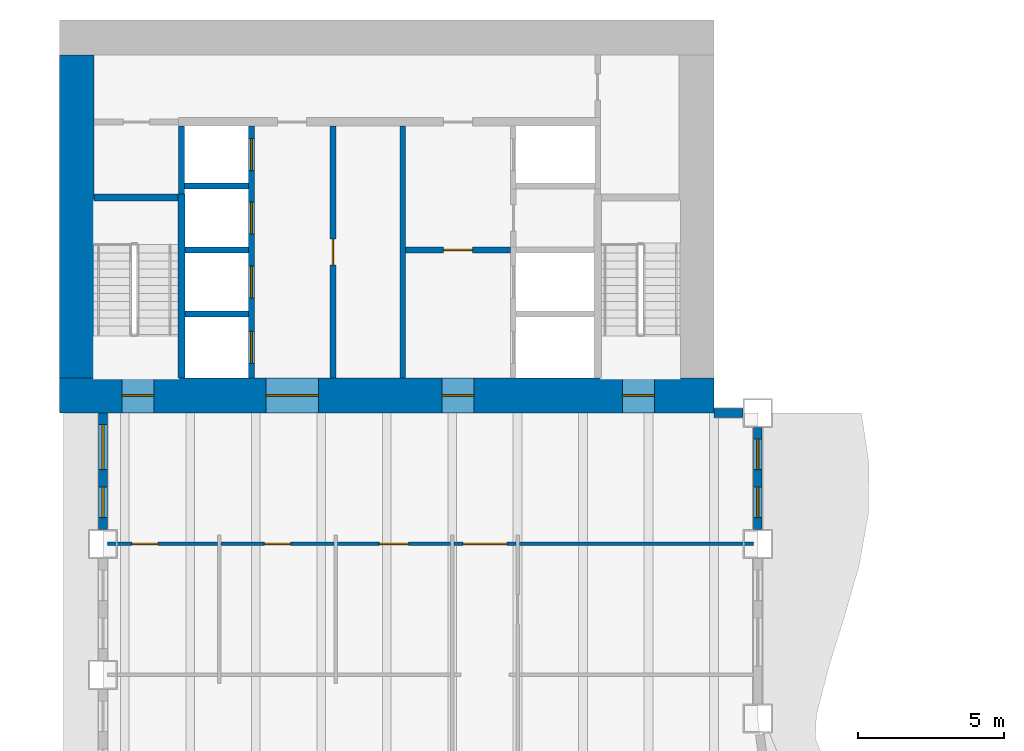
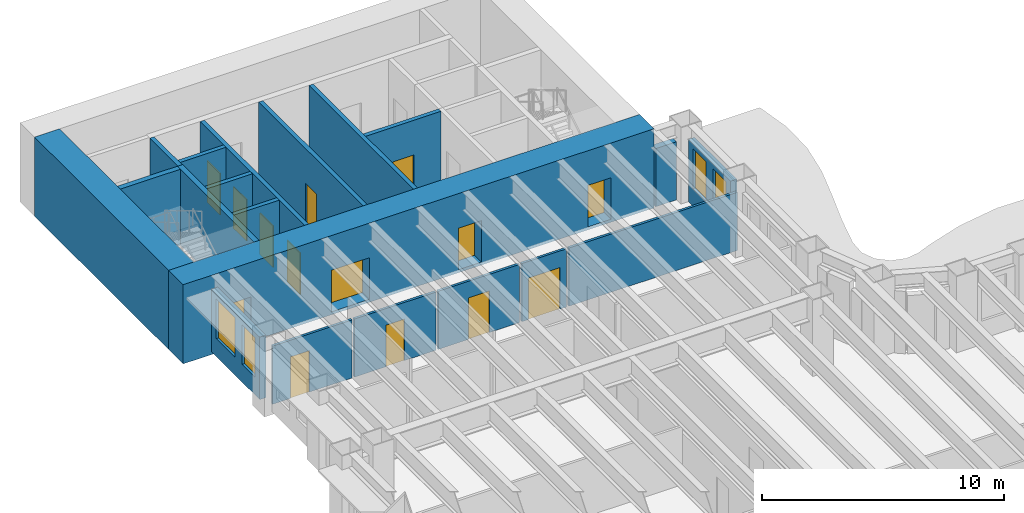
# One storey, part 8 of 16: 20 walls, 14 doors, 4 windows, 18 openings.
"""IFC4 building model written with IfcOpenShell, lengths in metres."""

from ifc_helpers import new_model, si_unit, direction, frame, frame_2d, origin, place, context, subcontext, project, spatial, rectangle, extrude, material, layer, layer_set, type_object, element, fill, save


model = new_model("IFC4")

# Units and contexts
model_context = context("Model", 3, precision=1e-05, world=origin(), true_north=direction((0.0, 1.0)))
body_context = subcontext(model_context, "Body", "Model", "MODEL_VIEW")
ifc_project = project(units=[si_unit("LENGTHUNIT", "METRE"), si_unit("AREAUNIT", "SQUARE_METRE"), si_unit("VOLUMEUNIT", "CUBIC_METRE"), si_unit("PLANEANGLEUNIT", "RADIAN"), si_unit("MASSUNIT", "GRAM", prefix="KILO")], contexts=[model_context])

# Site, building, storey
site_placement = place(None, origin())
site = spatial("IfcSite", under=ifc_project, at=site_placement, CompositionType="ELEMENT")
building_placement = place(site_placement, origin())
building = spatial("IfcBuilding", under=site, at=building_placement, Name="Sennacour Bend Tower", CompositionType="ELEMENT")
storey_placement = place(building_placement, frame((0.0, 0.0, 115.0)))
storey = spatial("IfcBuildingStorey", under=building, at=storey_placement, Name="L26", CompositionType="ELEMENT", Elevation=115.0)

# Wall, openings, doors
ifc_material_1 = material(Name="Concrete C80/95", Category="concrete")
ifc_layer_1 = layer(ifc_material_1, 1.199951171875, Name="Concrete C80/95", Category="concrete")
ifc_layer_set_1 = layer_set([ifc_layer_1], Name="Concrete C80/95")
wall_type_1 = type_object("IfcWallType", Name="Core wall 1200 C80/95", PredefinedType="SHEAR", material=ifc_layer_set_1)
wall_1_placement = place(storey_placement, frame((0.0, 36.60009765625, -0.14990234375), z_axis=(0.0, 0.0, 1.0), x_axis=(1.0, 0.0, 0.0)))
wall_1 = element("IfcWall", 1, at=wall_1_placement, inside=storey, type_object=wall_type_1, Name="Core B wall L26 S", PredefinedType="SHEAR", context=body_context, shape_type="SweptSolid", body=[
    extrude(rectangle(XDim=22.5, YDim=1.199951171875, at=frame_2d((11.25, 0.0))), origin(), (0.0, 0.0, 1.0), 4.0),
])
opening_1_placement = place(wall_1_placement, frame((7.10009765625, 0.0, 0.14990234375)))
opening_1 = element("IfcOpeningElement", 2, at=opening_1_placement, cuts=wall_1, Name="Opening CD", PredefinedType="OPENING", context=body_context, shape_type="SweptSolid", body=[
    extrude(rectangle(XDim=1.800048828125, YDim=2.10009765625, at=frame_2d((0.89990234375, 1.050048828125))), frame((0.0, 0.60986328125, 0.0), z_axis=(0.0, -1.0, 0.0), x_axis=(1.0, 0.0, 0.0)), (0.0, 0.0, 1.0), 1.219970703125),
])
opening_2_placement = place(wall_1_placement, frame((13.14990234375, 0.0, 0.14990234375)))
opening_2 = element("IfcOpeningElement", 3, at=opening_2_placement, cuts=wall_1, Name="Opening FD", PredefinedType="OPENING", context=body_context, shape_type="SweptSolid", body=[
    extrude(rectangle(XDim=1.10009765625, YDim=2.10009765625, at=frame_2d((0.550048828125, 1.050048828125))), frame((0.0, 0.60986328125, 0.0), z_axis=(0.0, -1.0, 0.0), x_axis=(1.0, 0.0, 0.0)), (0.0, 0.0, 1.0), 1.219970703125),
])
opening_3_placement = place(wall_1_placement, frame((2.14990234375, 0.0, 0.14990234375)))
opening_3 = element("IfcOpeningElement", 4, at=opening_3_placement, cuts=wall_1, Name="Opening SD", PredefinedType="OPENING", context=body_context, shape_type="SweptSolid", body=[
    extrude(rectangle(XDim=1.10009765625, YDim=2.10009765625, at=frame_2d((0.550048828125, 1.050048828125))), frame((0.0, 0.60986328125, 0.0), z_axis=(0.0, -1.0, 0.0), x_axis=(1.0, 0.0, 0.0)), (0.0, 0.0, 1.0), 1.219970703125),
])
opening_4_placement = place(wall_1_placement, frame((19.35009765625, 0.0, 0.14990234375)))
opening_4 = element("IfcOpeningElement", 5, at=opening_4_placement, cuts=wall_1, Name="Opening SD", PredefinedType="OPENING", context=body_context, shape_type="SweptSolid", body=[
    extrude(rectangle(XDim=1.10009765625, YDim=2.10009765625, at=frame_2d((0.550048828125, 1.050048828125))), frame((0.0, 0.60986328125, 0.0), z_axis=(0.0, -1.0, 0.0), x_axis=(1.0, 0.0, 0.0)), (0.0, 0.0, 1.0), 1.219970703125),
])
ifc_material_2 = material(Name="Painted steel", Category="steel")
door_type_1 = type_object("IfcDoorType", Name="DR-FFL-1100", OperationType="NOTDEFINED", PredefinedType="DOOR", material=ifc_material_2)
door_1_placement = place(opening_2_placement, origin())
door_1 = element("IfcDoor", 6, at=door_1_placement, inside=storey, type_object=door_type_1, Name="Door", OperationType="SINGLE_SWING_RIGHT", OverallHeight=2.10009765625, OverallWidth=1.10009765625, PredefinedType="DOOR", context=body_context, shape_type="SweptSolid", body=[
    extrude(rectangle(XDim=1.10009765625, YDim=2.10009765625, at=frame_2d((0.550048828125, 1.050048828125))), frame((0.0, 0.02490234375, 0.0), z_axis=(0.0, -1.0, 0.0), x_axis=(1.0, 0.0, 0.0)), (0.0, 0.0, 1.0), 0.050048828125),
])
fill(opening_2, door_1)
door_type_2 = type_object("IfcDoorType", Name="DR-LOBBY-1800", OperationType="NOTDEFINED", PredefinedType="DOOR", material=ifc_material_2)
door_2_placement = place(opening_1_placement, origin())
door_2 = element("IfcDoor", 7, at=door_2_placement, inside=storey, type_object=door_type_2, Name="Door", OperationType="DOUBLE_DOOR_SINGLE_SWING", OverallHeight=2.10009765625, OverallWidth=1.800048828125, PredefinedType="DOOR", context=body_context, shape_type="SweptSolid", body=[
    extrude(rectangle(XDim=1.800048828125, YDim=2.10009765625, at=frame_2d((0.89990234375, 1.050048828125))), frame((0.0, 0.02490234375, 0.0), z_axis=(0.0, -1.0, 0.0), x_axis=(1.0, 0.0, 0.0)), (0.0, 0.0, 1.0), 0.050048828125),
])
fill(opening_1, door_2)
door_type_3 = type_object("IfcDoorType", Name="DR-STAIR-1100", OperationType="NOTDEFINED", PredefinedType="DOOR", material=ifc_material_2)
door_3_placement = place(opening_3_placement, origin())
door_3 = element("IfcDoor", 8, at=door_3_placement, inside=storey, type_object=door_type_3, Name="Door", OperationType="SINGLE_SWING_LEFT", OverallHeight=2.10009765625, OverallWidth=1.10009765625, PredefinedType="DOOR", context=body_context, shape_type="SweptSolid", body=[
    extrude(rectangle(XDim=1.10009765625, YDim=2.10009765625, at=frame_2d((0.550048828125, 1.050048828125))), frame((0.0, 0.02490234375, 0.0), z_axis=(0.0, -1.0, 0.0), x_axis=(1.0, 0.0, 0.0)), (0.0, 0.0, 1.0), 0.050048828125),
])
fill(opening_3, door_3)
door_4_placement = place(opening_4_placement, origin())
door_4 = element("IfcDoor", 9, at=door_4_placement, inside=storey, type_object=door_type_3, Name="Door", OperationType="SINGLE_SWING_RIGHT", OverallHeight=2.10009765625, OverallWidth=1.10009765625, PredefinedType="DOOR", context=body_context, shape_type="SweptSolid", body=[
    extrude(rectangle(XDim=1.10009765625, YDim=2.10009765625, at=frame_2d((0.550048828125, 1.050048828125))), frame((0.0, 0.02490234375, 0.0), z_axis=(0.0, -1.0, 0.0), x_axis=(1.0, 0.0, 0.0)), (0.0, 0.0, 1.0), 0.050048828125),
])
fill(opening_4, door_4)

# Wall
wall_2_placement = place(storey_placement, frame((0.60009765625, 37.199951171875, -0.14990234375), z_axis=(0.0, 0.0, 1.0), x_axis=(0.0, 1.0, 0.0)))
element("IfcWall", 10, at=wall_2_placement, inside=storey, type_object=wall_type_1, Name="Core B wall L26 W", PredefinedType="SHEAR", context=body_context, shape_type="SweptSolid", body=[
    extrude(rectangle(XDim=11.10009765625, YDim=1.199951171875, at=frame_2d((5.550048828125, 0.0))), origin(), (0.0, 0.0, 1.0), 4.0),
])

# Wall, opening, door
ifc_material_3 = material(Name="Plasterboard partition on steel studs", Category="steel")
ifc_layer_2 = layer(ifc_material_3, 0.1201171875, Name="Plasterboard partition on steel studs", Category="steel")
ifc_layer_set_2 = layer_set([ifc_layer_2], Name="Plasterboard partition on steel studs")
wall_type_2 = type_object("IfcWallType", Name="Partition 120", PredefinedType="PARTITIONING", material=ifc_layer_set_2)
wall_3_placement = place(storey_placement, frame((1.64990234375, 31.5, 0.0), z_axis=(0.0, 0.0, 1.0), x_axis=(1.0, 0.0, 0.0)))
wall_3 = element("IfcWall", 11, at=wall_3_placement, inside=storey, type_object=wall_type_2, Name="P-L26-W071aa", PredefinedType="PARTITIONING", context=body_context, shape_type="SweptSolid", body=[
    extrude(rectangle(XDim=3.7900390625, YDim=0.1201171875, at=frame_2d((1.89501953125, 0.0))), origin(), (0.0, 0.0, 1.0), 2.93798828125),
])
opening_5_placement = place(wall_3_placement, frame((0.85009765625, 0.0, 0.0)))
opening_5 = element("IfcOpeningElement", 12, at=opening_5_placement, cuts=wall_3, Name="Opening WD", PredefinedType="OPENING", context=body_context, shape_type="SweptSolid", body=[
    extrude(rectangle(XDim=0.89990234375, YDim=2.10009765625, at=frame_2d((0.449951171875, 1.050048828125))), frame((0.0, 0.070068359375, 0.0), z_axis=(0.0, -1.0, 0.0), x_axis=(1.0, 0.0, 0.0)), (0.0, 0.0, 1.0), 0.14013671875),
])
ifc_material_4 = material(Name="Timber", Category="wood")
door_type_4 = type_object("IfcDoorType", Name="DR-WC-900", OperationType="NOTDEFINED", PredefinedType="DOOR", material=ifc_material_4)
door_5_placement = place(opening_5_placement, origin())
door_5 = element("IfcDoor", 13, at=door_5_placement, inside=storey, type_object=door_type_4, Name="Door", OperationType="SINGLE_SWING_LEFT", OverallHeight=2.10009765625, OverallWidth=0.89990234375, PredefinedType="DOOR", context=body_context, shape_type="SweptSolid", body=[
    extrude(rectangle(XDim=0.89990234375, YDim=2.10009765625, at=frame_2d((0.449951171875, 1.050048828125))), frame((0.0, 0.02490234375, 0.0), z_axis=(0.0, -1.0, 0.0), x_axis=(1.0, 0.0, 0.0)), (0.0, 0.0, 1.0), 0.050048828125),
])
fill(opening_5, door_5)

wall_4_placement = place(storey_placement, frame((5.56005859375, 31.5, 0.0), z_axis=(0.0, 0.0, 1.0), x_axis=(1.0, 0.0, 0.0)))
wall_4 = element("IfcWall", 14, at=wall_4_placement, inside=storey, type_object=wall_type_2, Name="P-L26-W071ab", PredefinedType="PARTITIONING", context=body_context, shape_type="SweptSolid", body=[
    extrude(rectangle(XDim=3.8798828125, YDim=0.1201171875, at=frame_2d((1.93994140625, 0.0))), origin(), (0.0, 0.0, 1.0), 2.93798828125),
])
opening_6_placement = place(wall_4_placement, frame((1.489990234375, 0.0, 0.0)))
opening_6 = element("IfcOpeningElement", 15, at=opening_6_placement, cuts=wall_4, Name="Opening WD", PredefinedType="OPENING", context=body_context, shape_type="SweptSolid", body=[
    extrude(rectangle(XDim=0.89990234375, YDim=2.10009765625, at=frame_2d((0.449951171875, 1.050048828125))), frame((0.0, 0.070068359375, 0.0), z_axis=(0.0, -1.0, 0.0), x_axis=(1.0, 0.0, 0.0)), (0.0, 0.0, 1.0), 0.14013671875),
])
door_6_placement = place(opening_6_placement, origin())
door_6 = element("IfcDoor", 16, at=door_6_placement, inside=storey, type_object=door_type_4, Name="Door", OperationType="SINGLE_SWING_LEFT", OverallHeight=2.10009765625, OverallWidth=0.89990234375, PredefinedType="DOOR", context=body_context, shape_type="SweptSolid", body=[
    extrude(rectangle(XDim=0.89990234375, YDim=2.10009765625, at=frame_2d((0.449951171875, 1.050048828125))), frame((0.0, 0.02490234375, 0.0), z_axis=(0.0, -1.0, 0.0), x_axis=(1.0, 0.0, 0.0)), (0.0, 0.0, 1.0), 0.050048828125),
])
fill(opening_6, door_6)

wall_5_placement = place(storey_placement, frame((9.56005859375, 31.5, 0.0), z_axis=(0.0, 0.0, 1.0), x_axis=(1.0, 0.0, 0.0)))
wall_5 = element("IfcWall", 17, at=wall_5_placement, inside=storey, type_object=wall_type_2, Name="P-L26-W071ac", PredefinedType="PARTITIONING", context=body_context, shape_type="SweptSolid", body=[
    extrude(rectangle(XDim=3.8798828125, YDim=0.1201171875, at=frame_2d((1.93994140625, 0.0))), origin(), (0.0, 0.0, 1.0), 2.93798828125),
])
opening_7_placement = place(wall_5_placement, frame((1.43994140625, 0.0, 0.0)))
opening_7 = element("IfcOpeningElement", 18, at=opening_7_placement, cuts=wall_5, Name="Opening AD", PredefinedType="OPENING", context=body_context, shape_type="SweptSolid", body=[
    extrude(rectangle(XDim=1.0, YDim=2.10009765625, at=frame_2d((0.5, 1.050048828125))), frame((0.0, 0.070068359375, 0.0), z_axis=(0.0, -1.0, 0.0), x_axis=(1.0, 0.0, 0.0)), (0.0, 0.0, 1.0), 0.14013671875),
])
door_type_5 = type_object("IfcDoorType", Name="DR-ACC-WC-1000", OperationType="NOTDEFINED", PredefinedType="DOOR", material=ifc_material_4)
door_7_placement = place(opening_7_placement, origin())
door_7 = element("IfcDoor", 19, at=door_7_placement, inside=storey, type_object=door_type_5, Name="Door", OperationType="SINGLE_SWING_LEFT", OverallHeight=2.10009765625, OverallWidth=1.0, PredefinedType="DOOR", context=body_context, shape_type="SweptSolid", body=[
    extrude(rectangle(XDim=1.0, YDim=2.10009765625, at=frame_2d((0.5, 1.050048828125))), frame((0.0, 0.02490234375, 0.0), z_axis=(0.0, -1.0, 0.0), x_axis=(1.0, 0.0, 0.0)), (0.0, 0.0, 1.0), 0.050048828125),
])
fill(opening_7, door_7)

# Wall
wall_6_placement = place(storey_placement, frame((15.81005859375, 31.5, 0.0), z_axis=(0.0, 0.0, 1.0), x_axis=(1.0, 0.0, 0.0)))
element("IfcWall", 20, at=wall_6_placement, inside=storey, type_object=wall_type_2, Name="P-L26-W071ae", PredefinedType="PARTITIONING", context=body_context, shape_type="SweptSolid", body=[
    extrude(rectangle(XDim=8.0400390625, YDim=0.1201171875, at=frame_2d((4.02001953125, 0.0))), origin(), (0.0, 0.0, 1.0), 2.93798828125),
])

# Wall, opening, door
ifc_layer_3 = layer(ifc_material_3, 0.1201171875, Name="Plasterboard partition on steel studs", Category="steel")
ifc_layer_set_3 = layer_set([ifc_layer_3], Name="Plasterboard partition on steel studs")
wall_type_3 = type_object("IfcWallType", Name="Partition 120 EI 30", PredefinedType="PARTITIONING", material=ifc_layer_set_3)
wall_7_placement = place(storey_placement, frame((13.56005859375, 31.5, 0.0), z_axis=(0.0, 0.0, 1.0), x_axis=(1.0, 0.0, 0.0)))
wall_7 = element("IfcWall", 21, at=wall_7_placement, inside=storey, type_object=wall_type_3, Name="P-L26-W071ad", PredefinedType="PARTITIONING", context=body_context, shape_type="SweptSolid", body=[
    extrude(rectangle(XDim=2.1298828125, YDim=0.1201171875, at=frame_2d((1.06494140625, 0.0))), origin(), (0.0, 0.0, 1.0), 2.93798828125),
])
opening_8_placement = place(wall_7_placement, frame((0.31494140625, 0.0, 0.0)))
opening_8 = element("IfcOpeningElement", 22, at=opening_8_placement, cuts=wall_7, Name="Opening KD", PredefinedType="OPENING", context=body_context, shape_type="SweptSolid", body=[
    extrude(rectangle(XDim=1.5, YDim=2.10009765625, at=frame_2d((0.75, 1.050048828125))), frame((0.0, 0.070068359375, 0.0), z_axis=(0.0, -1.0, 0.0), x_axis=(1.0, 0.0, 0.0)), (0.0, 0.0, 1.0), 0.14013671875),
])
door_type_6 = type_object("IfcDoorType", Name="DR-CORRIDOR-1500", OperationType="NOTDEFINED", PredefinedType="DOOR", material=ifc_material_2)
door_8_placement = place(opening_8_placement, origin())
door_8 = element("IfcDoor", 23, at=door_8_placement, inside=storey, type_object=door_type_6, Name="Door", OperationType="SINGLE_SWING_LEFT", OverallHeight=2.10009765625, OverallWidth=1.5, PredefinedType="DOOR", context=body_context, shape_type="SweptSolid", body=[
    extrude(rectangle(XDim=1.5, YDim=2.10009765625, at=frame_2d((0.75, 1.050048828125))), frame((0.0, 0.02490234375, 0.0), z_axis=(0.0, -1.0, 0.0), x_axis=(1.0, 0.0, 0.0)), (0.0, 0.0, 1.0), 0.050048828125),
])
fill(opening_8, door_8)

ifc_material_5 = material(Name="Fire-rated plasterboard partition on steel studs", Category="steel")
ifc_layer_4 = layer(ifc_material_5, 0.199951171875, Name="Fire-rated plasterboard partition on steel studs", Category="steel")
ifc_layer_set_4 = layer_set([ifc_layer_4], Name="Fire-rated plasterboard partition on steel studs")
wall_type_4 = type_object("IfcWallType", Name="Rated partition 200", PredefinedType="PARTITIONING", material=ifc_layer_set_4)
wall_8_placement = place(storey_placement, frame((9.39990234375, 37.199951171875, 0.0), z_axis=(0.0, 0.0, 1.0), x_axis=(0.0, 1.0, 0.0)))
wall_8 = element("IfcWall", 24, at=wall_8_placement, inside=storey, type_object=wall_type_4, Name="P-L26-W011", PredefinedType="PARTITIONING", context=body_context, shape_type="SweptSolid", body=[
    extrude(rectangle(XDim=8.650146484375, YDim=0.199951171875, at=frame_2d((4.3251953125, 0.0))), origin(), (0.0, 0.0, 1.0), 3.85009765625),
])
opening_9_placement = place(wall_8_placement, frame((3.875, 0.0, 0.0)))
opening_9 = element("IfcOpeningElement", 25, at=opening_9_placement, cuts=wall_8, Name="Opening SV", PredefinedType="OPENING", context=body_context, shape_type="SweptSolid", body=[
    extrude(rectangle(XDim=0.89990234375, YDim=2.10009765625, at=frame_2d((0.449951171875, 1.050048828125))), frame((0.0, 0.10986328125, 0.0), z_axis=(0.0, -1.0, 0.0), x_axis=(1.0, 0.0, 0.0)), (0.0, 0.0, 1.0), 0.219970703125),
])
door_type_7 = type_object("IfcDoorType", Name="DR-SERVICE-900", OperationType="NOTDEFINED", PredefinedType="DOOR", material=ifc_material_2)
door_9_placement = place(opening_9_placement, origin())
door_9 = element("IfcDoor", 26, at=door_9_placement, inside=storey, type_object=door_type_7, Name="Door", OperationType="SINGLE_SWING_LEFT", OverallHeight=2.10009765625, OverallWidth=0.89990234375, PredefinedType="DOOR", context=body_context, shape_type="SweptSolid", body=[
    extrude(rectangle(XDim=0.89990234375, YDim=2.10009765625, at=frame_2d((0.449951171875, 1.050048828125))), frame((0.0, 0.02490234375, 0.0), z_axis=(0.0, -1.0, 0.0), x_axis=(1.0, 0.0, 0.0)), (0.0, 0.0, 1.0), 0.050048828125),
])
fill(opening_9, door_9)

# Wall
wall_9_placement = place(storey_placement, frame((11.800048828125, 37.199951171875, 0.0), z_axis=(0.0, 0.0, 1.0), x_axis=(0.0, 1.0, 0.0)))
element("IfcWall", 27, at=wall_9_placement, inside=storey, type_object=wall_type_4, Name="P-L26-W013", PredefinedType="PARTITIONING", context=body_context, shape_type="SweptSolid", body=[
    extrude(rectangle(XDim=8.650146484375, YDim=0.199951171875, at=frame_2d((4.3251953125, 0.0))), origin(), (0.0, 0.0, 1.0), 3.85009765625),
])

# Wall, opening, door
ifc_layer_5 = layer(ifc_material_5, 0.199951171875, Name="Fire-rated plasterboard partition on steel studs", Category="steel")
ifc_layer_set_5 = layer_set([ifc_layer_5], Name="Fire-rated plasterboard partition on steel studs")
wall_type_5 = type_object("IfcWallType", Name="Rated partition 200 EI 90", PredefinedType="PARTITIONING", material=ifc_layer_set_5)
wall_10_placement = place(storey_placement, frame((11.89990234375, 41.60009765625, 0.0), z_axis=(0.0, 0.0, 1.0), x_axis=(1.0, 0.0, 0.0)))
wall_10 = element("IfcWall", 28, at=wall_10_placement, inside=storey, type_object=wall_type_5, Name="P-L26-W076", PredefinedType="PARTITIONING", context=body_context, shape_type="SweptSolid", body=[
    extrude(rectangle(XDim=3.60009765625, YDim=0.199951171875, at=frame_2d((1.800048828125, 0.0))), origin(), (0.0, 0.0, 1.0), 3.85009765625),
])
opening_10_placement = place(wall_10_placement, frame((1.300048828125, 0.0, 0.0)))
opening_10 = element("IfcOpeningElement", 29, at=opening_10_placement, cuts=wall_10, Name="Opening FD2", PredefinedType="OPENING", context=body_context, shape_type="SweptSolid", body=[
    extrude(rectangle(XDim=1.0, YDim=2.10009765625, at=frame_2d((0.5, 1.050048828125))), frame((0.0, 0.10986328125, 0.0), z_axis=(0.0, -1.0, 0.0), x_axis=(1.0, 0.0, 0.0)), (0.0, 0.0, 1.0), 0.219970703125),
])
door_type_8 = type_object("IfcDoorType", Name="DR-FFL-1000", OperationType="NOTDEFINED", PredefinedType="DOOR", material=ifc_material_2)
door_10_placement = place(opening_10_placement, origin())
door_10 = element("IfcDoor", 30, at=door_10_placement, inside=storey, type_object=door_type_8, Name="Door", OperationType="SINGLE_SWING_LEFT", OverallHeight=2.10009765625, OverallWidth=1.0, PredefinedType="DOOR", context=body_context, shape_type="SweptSolid", body=[
    extrude(rectangle(XDim=1.0, YDim=2.10009765625, at=frame_2d((0.5, 1.050048828125))), frame((0.0, 0.02490234375, 0.0), z_axis=(0.0, -1.0, 0.0), x_axis=(1.0, 0.0, 0.0)), (0.0, 0.0, 1.0), 0.050048828125),
])
fill(opening_10, door_10)

# Wall, openings, windows
ifc_material_6 = material(Name="Warm limestone cladding", Category="masonry")
ifc_layer_6 = layer(ifc_material_6, 0.050048828125, Name="Warm limestone cladding", Category="masonry")
ifc_material_7 = material(Name="Precast concrete C40/50", Category="concrete")
ifc_layer_7 = layer(ifc_material_7, 0.25, Name="Precast concrete C40/50", Category="concrete")
ifc_layer_set_6 = layer_set([ifc_layer_6, ifc_layer_7], Name="Precast concrete C40/50 with limestone cladding")
wall_type_6 = type_object("IfcWallType", Name="STONE-CLAD PRECAST SPANDREL 300", PredefinedType="STANDARD", material=ifc_layer_set_6)
wall_11_placement = place(storey_placement, frame((24.0, 32.0, 0.0), z_axis=(0.0, 0.0, 1.0), x_axis=(0.0, 1.0, 0.0)))
wall_11 = element("IfcWall", 31, at=wall_11_placement, inside=storey, type_object=wall_type_6, Name="Stone spandrel and pier wall L26 13.01", PredefinedType="STANDARD", context=body_context, shape_type="SweptSolid", body=[
    extrude(rectangle(XDim=3.5, YDim=0.300048828125, at=frame_2d((1.75, 0.0))), origin(), (0.0, 0.0, 1.0), 3.154052734375),
])
opening_11_placement = place(wall_11_placement, frame((0.39990234375, 0.0, 0.89990234375)))
opening_11 = element("IfcOpeningElement", 32, at=opening_11_placement, cuts=wall_11, Name="Opening W13", PredefinedType="OPENING", context=body_context, shape_type="SweptSolid", body=[
    extrude(rectangle(XDim=1.050048828125, YDim=2.0, at=frame_2d((0.52490234375, 1.0))), frame((0.0, 0.16015625, 0.0), z_axis=(0.0, -1.0, 0.0), x_axis=(1.0, 0.0, 0.0)), (0.0, 0.0, 1.0), 0.320068359375),
])
opening_12_placement = place(wall_11_placement, frame((2.050048828125, 0.0, 0.89990234375)))
opening_12 = element("IfcOpeningElement", 33, at=opening_12_placement, cuts=wall_11, Name="Opening W13", PredefinedType="OPENING", context=body_context, shape_type="SweptSolid", body=[
    extrude(rectangle(XDim=1.050048828125, YDim=2.0, at=frame_2d((0.52490234375, 1.0))), frame((0.0, 0.16015625, 0.0), z_axis=(0.0, -1.0, 0.0), x_axis=(1.0, 0.0, 0.0)), (0.0, 0.0, 1.0), 0.320068359375),
])
ifc_material_8 = material(Name="Clear low-emissivity glass", Category="glass")
window_type_1 = type_object("IfcWindowType", Name="WIN-RIBBON-1050x2000", PartitioningType="SINGLE_PANEL", PredefinedType="WINDOW", material=ifc_material_8)
window_1_placement = place(opening_11_placement, origin())
window_1 = element("IfcWindow", 34, at=window_1_placement, inside=storey, type_object=window_type_1, Name="Ribbon window L26 13.01.0", OverallHeight=2.0, OverallWidth=1.050048828125, PartitioningType="SINGLE_PANEL", PredefinedType="WINDOW", context=body_context, shape_type="SweptSolid", body=[
    extrude(rectangle(XDim=1.050048828125, YDim=2.0, at=frame_2d((0.52490234375, 1.0))), frame((0.0, 0.030029296875, 0.0), z_axis=(0.0, -1.0, 0.0), x_axis=(1.0, 0.0, 0.0)), (0.0, 0.0, 1.0), 0.06005859375),
])
fill(opening_11, window_1)
window_2_placement = place(opening_12_placement, origin())
window_2 = element("IfcWindow", 35, at=window_2_placement, inside=storey, type_object=window_type_1, Name="Ribbon window L26 13.01.1", OverallHeight=2.0, OverallWidth=1.050048828125, PartitioningType="SINGLE_PANEL", PredefinedType="WINDOW", context=body_context, shape_type="SweptSolid", body=[
    extrude(rectangle(XDim=1.050048828125, YDim=2.0, at=frame_2d((0.52490234375, 1.0))), frame((0.0, 0.030029296875, 0.0), z_axis=(0.0, -1.0, 0.0), x_axis=(1.0, 0.0, 0.0)), (0.0, 0.0, 1.0), 0.06005859375),
])
fill(opening_12, window_2)

# Wall
wall_12_placement = place(storey_placement, frame((23.5, 36.0, 0.0), z_axis=(0.0, 0.0, 1.0), x_axis=(-1.0, 0.0, 0.0)))
element("IfcWall", 36, at=wall_12_placement, inside=storey, type_object=wall_type_6, Name="Stone spandrel and pier wall L26 14.00", PredefinedType="STANDARD", context=body_context, shape_type="SweptSolid", body=[
    extrude(rectangle(XDim=1.0, YDim=0.300048828125, at=frame_2d((0.5, 0.0))), origin(), (0.0, 0.0, 1.0), 2.93798828125),
])

# Wall, openings, windows
wall_13_placement = place(storey_placement, frame((1.5, 36.0, 0.0), z_axis=(0.0, 0.0, 1.0), x_axis=(0.0, -1.0, 0.0)))
wall_13 = element("IfcWall", 37, at=wall_13_placement, inside=storey, type_object=wall_type_6, Name="Stone spandrel and pier wall L26 19.00", PredefinedType="STANDARD", context=body_context, shape_type="SweptSolid", body=[
    extrude(rectangle(XDim=4.0, YDim=0.300048828125, at=frame_2d((2.0, 0.0))), origin(), (0.0, 0.0, 1.0), 3.154052734375),
])
opening_13_placement = place(wall_13_placement, frame((0.39990234375, 0.0, 0.89990234375)))
opening_13 = element("IfcOpeningElement", 38, at=opening_13_placement, cuts=wall_13, Name="Opening W9", PredefinedType="OPENING", context=body_context, shape_type="SweptSolid", body=[
    extrude(rectangle(XDim=1.550048828125, YDim=2.0, at=frame_2d((0.77490234375, 1.0))), frame((0.0, 0.16015625, 0.0), z_axis=(0.0, -1.0, 0.0), x_axis=(1.0, 0.0, 0.0)), (0.0, 0.0, 1.0), 0.320068359375),
])
opening_14_placement = place(wall_13_placement, frame((2.550048828125, 0.0, 0.89990234375)))
opening_14 = element("IfcOpeningElement", 39, at=opening_14_placement, cuts=wall_13, Name="Opening W13", PredefinedType="OPENING", context=body_context, shape_type="SweptSolid", body=[
    extrude(rectangle(XDim=1.050048828125, YDim=2.0, at=frame_2d((0.52490234375, 1.0))), frame((0.0, 0.16015625, 0.0), z_axis=(0.0, -1.0, 0.0), x_axis=(1.0, 0.0, 0.0)), (0.0, 0.0, 1.0), 0.320068359375),
])
window_3_placement = place(opening_14_placement, origin())
window_3 = element("IfcWindow", 40, at=window_3_placement, inside=storey, type_object=window_type_1, Name="Ribbon window L26 19.00.1", OverallHeight=2.0, OverallWidth=1.050048828125, PartitioningType="SINGLE_PANEL", PredefinedType="WINDOW", context=body_context, shape_type="SweptSolid", body=[
    extrude(rectangle(XDim=1.050048828125, YDim=2.0, at=frame_2d((0.52490234375, 1.0))), frame((0.0, 0.030029296875, 0.0), z_axis=(0.0, -1.0, 0.0), x_axis=(1.0, 0.0, 0.0)), (0.0, 0.0, 1.0), 0.06005859375),
])
fill(opening_14, window_3)
window_type_2 = type_object("IfcWindowType", Name="WIN-RIBBON-1550x2000", PartitioningType="SINGLE_PANEL", PredefinedType="WINDOW", material=ifc_material_8)
window_4_placement = place(opening_13_placement, origin())
window_4 = element("IfcWindow", 41, at=window_4_placement, inside=storey, type_object=window_type_2, Name="Ribbon window L26 19.00.0", OverallHeight=2.0, OverallWidth=1.550048828125, PartitioningType="SINGLE_PANEL", PredefinedType="WINDOW", context=body_context, shape_type="SweptSolid", body=[
    extrude(rectangle(XDim=1.550048828125, YDim=2.0, at=frame_2d((0.77490234375, 1.0))), frame((0.0, 0.030029296875, 0.0), z_axis=(0.0, -1.0, 0.0), x_axis=(1.0, 0.0, 0.0)), (0.0, 0.0, 1.0), 0.06005859375),
])
fill(opening_13, window_4)

# Wall
ifc_material_9 = material(Name="Concrete C50/60", Category="concrete")
ifc_layer_8 = layer(ifc_material_9, 0.199951171875, Name="Concrete C50/60", Category="concrete")
ifc_layer_set_7 = layer_set([ifc_layer_8], Name="Concrete C50/60")
wall_type_7 = type_object("IfcWallType", Name="Shaft wall 200", PredefinedType="SOLIDWALL", material=ifc_layer_set_7)
wall_14_placement = place(storey_placement, frame((4.199951171875, 43.52490234375, 0.0), z_axis=(0.0, 0.0, 1.0), x_axis=(0.0, 1.0, 0.0)))
element("IfcWall", 42, at=wall_14_placement, inside=storey, type_object=wall_type_7, Name="P-L26-W005", PredefinedType="SOLIDWALL", context=body_context, shape_type="SweptSolid", body=[
    extrude(rectangle(XDim=2.3251953125, YDim=0.199951171875, at=frame_2d((1.16259765625, 0.0))), origin(), (0.0, 0.0, 1.0), 3.85009765625),
])

# Wall, openings, doors
wall_15_placement = place(storey_placement, frame((6.60009765625, 37.199951171875, 0.0), z_axis=(0.0, 0.0, 1.0), x_axis=(0.0, 1.0, 0.0)))
wall_15 = element("IfcWall", 43, at=wall_15_placement, inside=storey, type_object=wall_type_7, Name="P-L26-W007", PredefinedType="SOLIDWALL", context=body_context, shape_type="SweptSolid", body=[
    extrude(rectangle(XDim=8.650146484375, YDim=0.199951171875, at=frame_2d((4.3251953125, 0.0))), origin(), (0.0, 0.0, 1.0), 3.85009765625),
])
opening_15_placement = place(wall_15_placement, frame((0.5, 0.0, 0.011962890625)))
opening_15 = element("IfcOpeningElement", 44, at=opening_15_placement, cuts=wall_15, Name="Opening LD", PredefinedType="OPENING", context=body_context, shape_type="SweptSolid", body=[
    extrude(rectangle(XDim=1.10009765625, YDim=2.10009765625, at=frame_2d((0.550048828125, 1.050048828125))), frame((0.0, 0.10986328125, 0.0), z_axis=(0.0, -1.0, 0.0), x_axis=(1.0, 0.0, 0.0)), (0.0, 0.0, 1.0), 0.219970703125),
])
opening_16_placement = place(wall_15_placement, frame((2.75, 0.0, 0.011962890625)))
opening_16 = element("IfcOpeningElement", 45, at=opening_16_placement, cuts=wall_15, Name="Opening LD", PredefinedType="OPENING", context=body_context, shape_type="SweptSolid", body=[
    extrude(rectangle(XDim=1.10009765625, YDim=2.10009765625, at=frame_2d((0.550048828125, 1.050048828125))), frame((0.0, 0.10986328125, 0.0), z_axis=(0.0, -1.0, 0.0), x_axis=(1.0, 0.0, 0.0)), (0.0, 0.0, 1.0), 0.219970703125),
])
opening_17_placement = place(wall_15_placement, frame((4.949951171875, 0.0, 0.011962890625)))
opening_17 = element("IfcOpeningElement", 46, at=opening_17_placement, cuts=wall_15, Name="Opening LD", PredefinedType="OPENING", context=body_context, shape_type="SweptSolid", body=[
    extrude(rectangle(XDim=1.10009765625, YDim=2.10009765625, at=frame_2d((0.550048828125, 1.050048828125))), frame((0.0, 0.10986328125, 0.0), z_axis=(0.0, -1.0, 0.0), x_axis=(1.0, 0.0, 0.0)), (0.0, 0.0, 1.0), 0.219970703125),
])
opening_18_placement = place(wall_15_placement, frame((7.125, 0.0, 0.011962890625)))
opening_18 = element("IfcOpeningElement", 47, at=opening_18_placement, cuts=wall_15, Name="Opening LD", PredefinedType="OPENING", context=body_context, shape_type="SweptSolid", body=[
    extrude(rectangle(XDim=1.10009765625, YDim=2.10009765625, at=frame_2d((0.550048828125, 1.050048828125))), frame((0.0, 0.10986328125, 0.0), z_axis=(0.0, -1.0, 0.0), x_axis=(1.0, 0.0, 0.0)), (0.0, 0.0, 1.0), 0.219970703125),
])
ifc_material_10 = material(Name="Stainless steel", Category="steel")
door_type_9 = type_object("IfcDoorType", Name="DR-LANDING-1100", OperationType="NOTDEFINED", PredefinedType="DOOR", material=ifc_material_10)
door_11_placement = place(opening_15_placement, origin())
door_11 = element("IfcDoor", 48, at=door_11_placement, inside=storey, type_object=door_type_9, Name="Lift landing door LB1", OperationType="SLIDING_TO_LEFT", OverallHeight=2.10009765625, OverallWidth=1.10009765625, PredefinedType="DOOR", context=body_context, shape_type="SweptSolid", body=[
    extrude(rectangle(XDim=1.10009765625, YDim=2.10009765625, at=frame_2d((0.550048828125, 1.050048828125))), frame((0.0, 0.02490234375, 0.0), z_axis=(0.0, -1.0, 0.0), x_axis=(1.0, 0.0, 0.0)), (0.0, 0.0, 1.0), 0.050048828125),
])
fill(opening_15, door_11)
door_12_placement = place(opening_16_placement, origin())
door_12 = element("IfcDoor", 49, at=door_12_placement, inside=storey, type_object=door_type_9, Name="Lift landing door LB2", OperationType="SLIDING_TO_RIGHT", OverallHeight=2.10009765625, OverallWidth=1.10009765625, PredefinedType="DOOR", context=body_context, shape_type="SweptSolid", body=[
    extrude(rectangle(XDim=1.10009765625, YDim=2.10009765625, at=frame_2d((0.550048828125, 1.050048828125))), frame((0.0, 0.02490234375, 0.0), z_axis=(0.0, -1.0, 0.0), x_axis=(1.0, 0.0, 0.0)), (0.0, 0.0, 1.0), 0.050048828125),
])
fill(opening_16, door_12)
door_13_placement = place(opening_17_placement, origin())
door_13 = element("IfcDoor", 50, at=door_13_placement, inside=storey, type_object=door_type_9, Name="Lift landing door LB3", OperationType="SLIDING_TO_LEFT", OverallHeight=2.10009765625, OverallWidth=1.10009765625, PredefinedType="DOOR", context=body_context, shape_type="SweptSolid", body=[
    extrude(rectangle(XDim=1.10009765625, YDim=2.10009765625, at=frame_2d((0.550048828125, 1.050048828125))), frame((0.0, 0.02490234375, 0.0), z_axis=(0.0, -1.0, 0.0), x_axis=(1.0, 0.0, 0.0)), (0.0, 0.0, 1.0), 0.050048828125),
])
fill(opening_17, door_13)
door_14_placement = place(opening_18_placement, origin())
door_14 = element("IfcDoor", 51, at=door_14_placement, inside=storey, type_object=door_type_9, Name="Lift landing door LB4", OperationType="SLIDING_TO_RIGHT", OverallHeight=2.10009765625, OverallWidth=1.10009765625, PredefinedType="DOOR", context=body_context, shape_type="SweptSolid", body=[
    extrude(rectangle(XDim=1.10009765625, YDim=2.10009765625, at=frame_2d((0.550048828125, 1.050048828125))), frame((0.0, 0.02490234375, 0.0), z_axis=(0.0, -1.0, 0.0), x_axis=(1.0, 0.0, 0.0)), (0.0, 0.0, 1.0), 0.050048828125),
])
fill(opening_18, door_14)

# Walls
for number, where, z_axis, x_axis, name in (
    (52, (4.324951171875, 39.39990234375, 0.0), (0.0, 0.0, 1.0), (1.0, 0.0, 0.0), "P-L26-W073"),
    (53, (4.324951171875, 41.60009765625, 0.0), (0.0, 0.0, 1.0), (1.0, 0.0, 0.0), "P-L26-W075"),
):
    element("IfcWall", number, at=place(storey_placement, frame(where, z_axis=z_axis, x_axis=x_axis)), inside=storey, type_object=wall_type_7, Name=name, PredefinedType="SOLIDWALL", context=body_context, shape_type="SweptSolid", body=[
        extrude(rectangle(XDim=2.175048828125, YDim=0.199951171875, at=frame_2d((1.08740234375, 0.0))), origin(), (0.0, 0.0, 1.0), 3.85009765625),
    ])
wall_16_placement = place(storey_placement, frame((4.300048828125, 43.800048828125, 0.0), z_axis=(0.0, 0.0, 1.0), x_axis=(1.0, 0.0, 0.0)))
element("IfcWall", 54, at=wall_16_placement, inside=storey, type_object=wall_type_7, Name="P-L26-W080", PredefinedType="SOLIDWALL", context=body_context, shape_type="SweptSolid", body=[
    extrude(rectangle(XDim=2.199951171875, YDim=0.199951171875, at=frame_2d((1.10009765625, 0.0))), origin(), (0.0, 0.0, 1.0), 3.85009765625),
])
ifc_material_11 = material(Name="Concrete C60/75", Category="concrete")
ifc_layer_9 = layer(ifc_material_11, 0.25, Name="Concrete C60/75", Category="concrete")
ifc_layer_set_8 = layer_set([ifc_layer_9], Name="Concrete C60/75")
wall_type_8 = type_object("IfcWallType", Name="Stair wall 250", PredefinedType="SHEAR", material=ifc_layer_set_8)
wall_17_placement = place(storey_placement, frame((4.199951171875, 37.199951171875, 0.0), z_axis=(0.0, 0.0, 1.0), x_axis=(0.0, 1.0, 0.0)))
element("IfcWall", 55, at=wall_17_placement, inside=storey, type_object=wall_type_8, Name="P-L26-W004", PredefinedType="SHEAR", context=body_context, shape_type="SweptSolid", body=[
    extrude(rectangle(XDim=6.324951171875, YDim=0.25, at=frame_2d((3.16259765625, 0.0))), origin(), (0.0, 0.0, 1.0), 3.85009765625),
])
wall_18_placement = place(storey_placement, frame((1.199951171875, 43.39990234375, 0.0), z_axis=(0.0, 0.0, 1.0), x_axis=(1.0, 0.0, 0.0)))
element("IfcWall", 56, at=wall_18_placement, inside=storey, type_object=wall_type_8, Name="P-L26-W078", PredefinedType="SHEAR", context=body_context, shape_type="SweptSolid", body=[
    extrude(rectangle(XDim=2.875, YDim=0.25, at=frame_2d((1.4375, 0.0))), origin(), (0.0, 0.0, 1.0), 3.85009765625),
])

save(model, "model.ifc")
